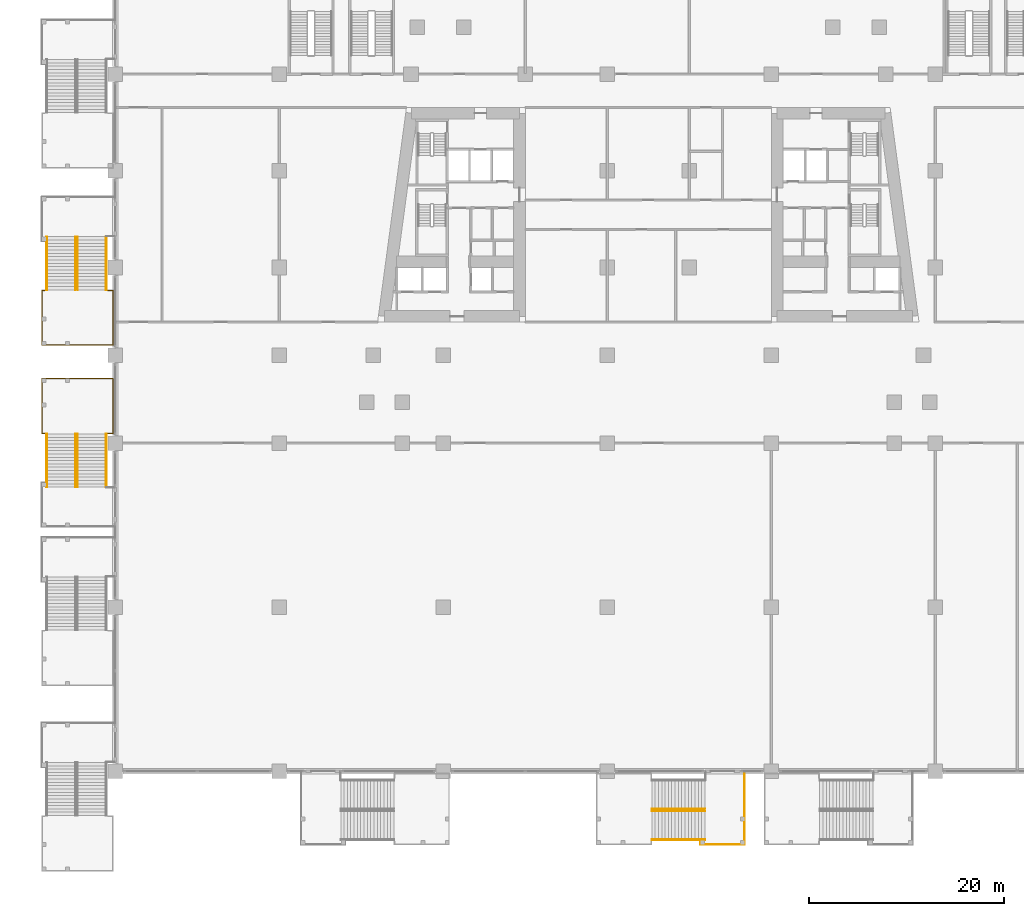
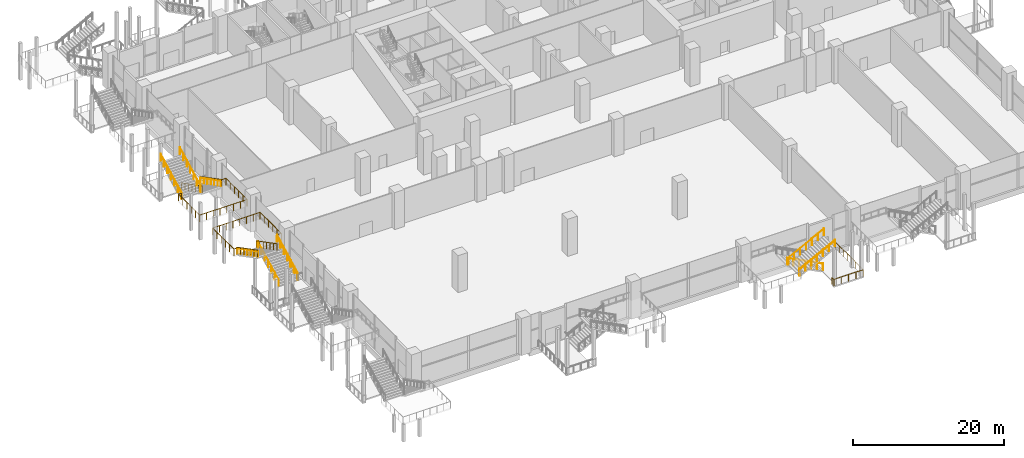
# One storey, part 37 of 49: 19 railings.
"""IFC4 building model written with IfcOpenShell, lengths in metres."""

import ifcopenshell
import ifcopenshell.guid

model = None  # the IFC model being written
_history = None  # IfcOwnerHistory: only IFC2X3 demands one
_inside = {}  # id of a spatial element -> (the spatial element, [elements in it])
_under = {}  # id of a project, library or spatial element -> (it, [spatial elements below it])
_declared = {}  # id of a project -> (the project, [libraries it declares])
_typed = {}  # id of a type object -> (the type object, [elements of that type])
_made_of = {}  # id of a material, layer set ... -> (it, [elements and type objects made of it])


def new_model(schema):
    """Start an empty IFC model of exactly this schema.

    Asked for "IFC4X3", IfcOpenShell would pick the latest addendum, in which some entities
    have other attributes; the version numbers below select the first issue.
    IFC2X3 requires an IfcOwnerHistory on every rooted entity: one is made here for all.
    """
    global model, _history
    if schema == "IFC4X3":
        model = ifcopenshell.file(schema_version=(4, 3, 0, 0))
    else:
        model = ifcopenshell.file(schema=schema)
    _inside.clear()
    _under.clear()
    _declared.clear()
    _typed.clear()
    _made_of.clear()
    _history = None
    if model.schema == "IFC2X3":
        org = make("IfcOrganization", Name="unknown")
        user = make(
            "IfcPersonAndOrganization",
            ThePerson=make("IfcPerson", FamilyName="unknown"),
            TheOrganization=org,
        )
        app = make(
            "IfcApplication",
            ApplicationDeveloper=org,
            Version="unknown",
            ApplicationFullName="unknown",
            ApplicationIdentifier="unknown",
        )
        _history = make(
            "IfcOwnerHistory",
            OwningUser=user,
            OwningApplication=app,
            ChangeAction="ADDED",
            CreationDate=0,
        )
    return model


def make(cls, **values):
    """One entity of the class cls with the attributes given. An attribute that is None is left unset."""
    return model.create_entity(
        cls, **{name: value for name, value in values.items() if value is not None}
    )


def rooted(cls, **values):
    """An entity with a GlobalId (a new one), such as an element, a storey or a relation."""
    return make(cls, GlobalId=ifcopenshell.guid.new(), OwnerHistory=_history, **values)


def si_unit(unit_type, name, prefix=None):
    """IfcSIUnit, for example si_unit("LENGTHUNIT", "METRE", prefix="MILLI")."""
    return make("IfcSIUnit", UnitType=unit_type, Prefix=prefix, Name=name)


def assignment(units):
    """IfcUnitAssignment: the units of a project."""
    return None if units is None else make("IfcUnitAssignment", Units=units)


def point(xyz):
    """IfcCartesianPoint."""
    return None if xyz is None else make("IfcCartesianPoint", Coordinates=xyz)


def direction(xyz):
    """IfcDirection."""
    return None if xyz is None else make("IfcDirection", DirectionRatios=xyz)


def frame(location, z_axis=None, x_axis=None):
    """IfcAxis2Placement3D, a coordinate frame: its origin and axes. An axis left out is left unset."""
    return make(
        "IfcAxis2Placement3D",
        Location=point(location),
        Axis=direction(z_axis),
        RefDirection=direction(x_axis),
    )


def frame_2d(location, x_axis=None):
    """IfcAxis2Placement2D, a coordinate frame in the plane: its origin and x axis."""
    return make(
        "IfcAxis2Placement2D", Location=point(location), RefDirection=direction(x_axis)
    )


def origin():
    """The frame at (0, 0, 0) with its axes left unset."""
    return frame((0.0, 0.0, 0.0))


def origin_2d():
    """The frame at (0, 0) in the plane with its x axis left unset."""
    return frame_2d((0.0, 0.0))


def place(relative_to, where):
    """IfcLocalPlacement: puts the frame where relative to a parent placement (None: the world)."""
    return make(
        "IfcLocalPlacement", PlacementRelTo=relative_to, RelativePlacement=where
    )


def context(
    kind, dimensions, precision=None, world=None, true_north=None, identifier=None
):
    """IfcGeometricRepresentationContext, for example the 3D "Model" context."""
    return make(
        "IfcGeometricRepresentationContext",
        ContextIdentifier=identifier,
        ContextType=kind,
        CoordinateSpaceDimension=dimensions,
        Precision=precision,
        WorldCoordinateSystem=world,
        TrueNorth=true_north,
    )


def subcontext(parent, identifier, kind, view, scale=None):
    """IfcGeometricRepresentationSubContext, for example "Body" below "Model"."""
    return make(
        "IfcGeometricRepresentationSubContext",
        ContextIdentifier=identifier,
        ContextType=kind,
        ParentContext=parent,
        TargetScale=scale,
        TargetView=view,
    )


def project(units=None, contexts=None):
    """IfcProject with its units and contexts."""
    return rooted(
        "IfcProject",
        Name="project",
        RepresentationContexts=contexts,
        UnitsInContext=assignment(units),
    )


def spatial(cls, under=None, at=None, **own):
    """A site, building, storey or space (cls), placed at a placement, below another one or the project."""
    s = rooted(cls, ObjectPlacement=at, **own)
    if under is not None:
        _under.setdefault(under.id(), (under, []))[1].append(s)
    return s


def profile(cls, at=None, kind="AREA", **sizes):
    """A parametric profile (cls). Its sizes go by their IFC names, for example OverallWidth=200.0."""
    return make(cls, ProfileType=kind, Position=at, **sizes)


def circle(**sizes):
    """IfcCircleProfileDef."""
    return profile("IfcCircleProfileDef", **sizes)


def extrude(swept, where, along, depth):
    """IfcExtrudedAreaSolid: the profile swept, set in the frame where, extruded along a direction by depth."""
    return make(
        "IfcExtrudedAreaSolid",
        SweptArea=swept,
        Position=where,
        ExtrudedDirection=direction(along),
        Depth=depth,
    )


def shape(context_of_items, identifier, shape_type, items):
    """IfcShapeRepresentation: the items that make up one representation, for example the "Body"."""
    return make(
        "IfcShapeRepresentation",
        ContextOfItems=context_of_items,
        RepresentationIdentifier=identifier,
        RepresentationType=shape_type,
        Items=items,
    )


def material(Name=None, Category=None):
    """IfcMaterial."""
    return make("IfcMaterial", Name=Name, Category=Category)


def made_of(thing, what):
    """Note that an element or type object is made of a material, layer set ...; save() writes the relation."""
    if what is not None:
        _made_of.setdefault(what.id(), (what, []))[1].append(thing)
    return thing


def type_object(cls, material=None, **own):
    """A type object (cls), such as IfcWallType, which elements share."""
    return made_of(rooted(cls, **own), material)


def element(
    cls,
    number,
    at=None,
    inside=None,
    cuts=None,
    type_object=None,
    material=None,
    context=None,
    identifier="Body",
    shape_type=None,
    held_by="IfcProductDefinitionShape",
    body=None,
    shapes=None,
    **own,
):
    """One element of the class cls, such as IfcWall. Its Tag is "e" and its number.

    at: its placement. inside: the storey or other place that contains it. cuts: it is an
    opening in that element (IfcRelVoidsElement). A single representation is given by context,
    identifier, shape_type and body (its items); several are given by shapes. held_by: the class
    of the entity that holds the representations. save() writes the other relations.
    """
    e = rooted(cls, Tag="e%d" % number, ObjectPlacement=at, **own)
    if body is not None:
        shapes = [shape(context, identifier, shape_type, body)]
    if shapes is not None:
        e.Representation = make(held_by, Representations=shapes)
    if inside is not None:
        _inside.setdefault(inside.id(), (inside, []))[1].append(e)
    if cuts is not None:
        rooted(
            "IfcRelVoidsElement", RelatingBuildingElement=cuts, RelatedOpeningElement=e
        )
    if type_object is not None:
        _typed.setdefault(type_object.id(), (type_object, []))[1].append(e)
    return made_of(e, material)


def aggregate(whole, parts):
    """IfcRelAggregates: a whole, such as a stair, and the parts it consists of."""
    return rooted("IfcRelAggregates", RelatingObject=whole, RelatedObjects=parts)


def save(model, path):
    """Write the relations noted so far, then the file.

    IfcRelAggregates (storeys below a building ...), IfcRelContainedInSpatialStructure (elements
    in a storey), IfcRelDefinesByType, IfcRelAssociatesMaterial and IfcRelDeclares: one each for
    every whole, place, type object, material and project.
    """
    for whole, parts in _under.values():
        aggregate(whole, parts)
    for where, things in _inside.values():
        rooted(
            "IfcRelContainedInSpatialStructure",
            RelatedElements=things,
            RelatingStructure=where,
        )
    for kind, things in _typed.values():
        rooted("IfcRelDefinesByType", RelatedObjects=things, RelatingType=kind)
    for what, things in _made_of.values():
        rooted("IfcRelAssociatesMaterial", RelatedObjects=things, RelatingMaterial=what)
    for by, libraries in _declared.values():
        rooted("IfcRelDeclares", RelatingContext=by, RelatedDefinitions=libraries)
    model.write(path)


model = new_model("IFC4")

# Units and contexts
model_context = context("Model", 3, precision=1e-05, world=origin(), true_north=direction((0.0, 1.0)))
body_context = subcontext(model_context, "Body", "Model", "MODEL_VIEW")
ifc_project = project(units=[si_unit("LENGTHUNIT", "METRE"), si_unit("AREAUNIT", "SQUARE_METRE"), si_unit("VOLUMEUNIT", "CUBIC_METRE"), si_unit("PLANEANGLEUNIT", "RADIAN"), si_unit("MASSUNIT", "GRAM", prefix="KILO")], contexts=[model_context])

# Site, building, storey
site_placement = place(None, origin())
site = spatial("IfcSite", under=ifc_project, at=site_placement, CompositionType="ELEMENT")
building_placement = place(site_placement, origin())
building = spatial("IfcBuilding", under=site, at=building_placement, Name="Candeia Pilgrim Tower and Theatre", CompositionType="ELEMENT")
storey_placement = place(building_placement, frame((0.0, 0.0, 17.0)))
storey = spatial("IfcBuildingStorey", under=building, at=storey_placement, Name="L02", CompositionType="ELEMENT", Elevation=17.0)

# Railings
ifc_material_1 = material(Name="Stainless steel balustrade", Category="steel")
railing_type_1 = type_object("IfcRailingType", Name="RL-GUARD-1100", PredefinedType="GUARDRAIL", material=ifc_material_1)
railing_1_placement = place(storey_placement, frame((119.199951171875, 60.550048828125, 0.176513671875)))
element("IfcRailing", 1, at=railing_1_placement, inside=storey, type_object=railing_type_1, Name="L02 ES9 stair guard 1", PredefinedType="GUARDRAIL", context=body_context, shape_type="SweptSolid", body=[
    extrude(circle(Radius=0.02392578125, at=origin_2d()), frame((0.0, 0.0, 1.076171875), z_axis=(-0.887569374008, 0.0, 0.460674078198), x_axis=(0.0, -1.0, 0.0)), (0.0, 0.0, 1.0), 6.129150390625),
    extrude(circle(Radius=0.02099609375, at=origin_2d()), origin(), (0.0, 0.0, 1.0), 1.052001953125),
    extrude(circle(Radius=0.02099609375, at=origin_2d()), frame((-0.90673828125, 0.0, 0.470703125)), (0.0, 0.0, 1.0), 1.052001953125),
    extrude(circle(Radius=0.02099609375, at=origin_2d()), frame((-1.813232421875, 0.0, 0.941162109375)), (0.0, 0.0, 1.0), 1.052001953125),
    extrude(circle(Radius=0.02099609375, at=origin_2d()), frame((-2.719970703125, 0.0, 1.41162109375)), (0.0, 0.0, 1.0), 1.052001953125),
    extrude(circle(Radius=0.02099609375, at=origin_2d()), frame((-3.626708984375, 0.0, 1.88232421875)), (0.0, 0.0, 1.0), 1.052001953125),
    extrude(circle(Radius=0.02099609375, at=origin_2d()), frame((-4.533203125, 0.0, 2.35302734375)), (0.0, 0.0, 1.0), 1.052001953125),
    extrude(circle(Radius=0.02099609375, at=origin_2d()), frame((-5.43994140625, 0.0, 2.823486328125)), (0.0, 0.0, 1.0), 1.052001953125),
])
for number, where, name in (
    (2, (113.760009765625, 60.300048828125, 3.176513671875), "L02 ES9 stair guard 2"),
    (3, (113.760009765625, 57.35009765625, 3.176513671875), "L02 ES9 stair guard 4"),
):
    element("IfcRailing", number, at=place(storey_placement, frame(where)), inside=storey, type_object=railing_type_1, Name=name, PredefinedType="GUARDRAIL", context=body_context, shape_type="SweptSolid", body=[
        extrude(circle(Radius=0.02392578125, at=origin_2d()), frame((0.0, 0.0, 1.076171875), z_axis=(0.887569374008, 0.0, 0.460674078198), x_axis=(0.0, 1.0, 0.0)), (0.0, 0.0, 1.0), 6.129150390625),
        extrude(circle(Radius=0.02099609375, at=origin_2d()), origin(), (0.0, 0.0, 1.0), 1.052001953125),
        extrude(circle(Radius=0.02099609375, at=origin_2d()), frame((0.90673828125, 0.0, 0.470703125)), (0.0, 0.0, 1.0), 1.052001953125),
        extrude(circle(Radius=0.02099609375, at=origin_2d()), frame((1.813232421875, 0.0, 0.941162109375)), (0.0, 0.0, 1.0), 1.052001953125),
        extrude(circle(Radius=0.02099609375, at=origin_2d()), frame((2.719970703125, 0.0, 1.41162109375)), (0.0, 0.0, 1.0), 1.052001953125),
        extrude(circle(Radius=0.02099609375, at=origin_2d()), frame((3.626708984375, 0.0, 1.88232421875)), (0.0, 0.0, 1.0), 1.052001953125),
        extrude(circle(Radius=0.02099609375, at=origin_2d()), frame((4.533203125, 0.0, 2.35302734375)), (0.0, 0.0, 1.0), 1.052001953125),
        extrude(circle(Radius=0.02099609375, at=origin_2d()), frame((5.43994140625, 0.0, 2.823486328125)), (0.0, 0.0, 1.0), 1.052001953125),
    ])
railing_2_placement = place(storey_placement, frame((123.25, 64.300048828125, 0.0)))
element("IfcRailing", 4, at=railing_2_placement, inside=storey, type_object=railing_type_1, Name="L02 External escape stair ES9 landing guard", PredefinedType="GUARDRAIL", context=body_context, shape_type="SweptSolid", body=[
    extrude(circle(Radius=0.02392578125, at=origin_2d()), frame((0.0, 0.0, 1.076171875), z_axis=(0.0, -1.0, 0.0), x_axis=(1.0, 0.0, 0.0)), (0.0, 0.0, 1.0), 7.400146484375),
    extrude(circle(Radius=0.02392578125, at=origin_2d()), frame((0.0, -7.400146484375, 1.076171875), z_axis=(-1.0, 0.0, 0.0), x_axis=(0.0, -1.0, 0.0)), (0.0, 0.0, 1.0), 4.5),
    extrude(circle(Radius=0.02392578125, at=origin_2d()), frame((-4.5, -7.400146484375, 1.076171875), z_axis=(0.0, 1.0, 0.0), x_axis=(-1.0, 0.0, 0.0)), (0.0, 0.0, 1.0), 0.4501953125),
    extrude(circle(Radius=0.02099609375, at=origin_2d()), origin(), (0.0, 0.0, 1.0), 1.052001953125),
    extrude(circle(Radius=0.02099609375, at=origin_2d()), frame((0.0, -1.05712890625, 0.0)), (0.0, 0.0, 1.0), 1.052001953125),
    extrude(circle(Radius=0.02099609375, at=origin_2d()), frame((0.0, -2.1142578125, 0.0)), (0.0, 0.0, 1.0), 1.052001953125),
    extrude(circle(Radius=0.02099609375, at=origin_2d()), frame((0.0, -3.17138671875, 0.0)), (0.0, 0.0, 1.0), 1.052001953125),
    extrude(circle(Radius=0.02099609375, at=origin_2d()), frame((0.0, -4.228759765625, 0.0)), (0.0, 0.0, 1.0), 1.052001953125),
    extrude(circle(Radius=0.02099609375, at=origin_2d()), frame((0.0, -5.285888671875, 0.0)), (0.0, 0.0, 1.0), 1.052001953125),
    extrude(circle(Radius=0.02099609375, at=origin_2d()), frame((0.0, -6.343017578125, 0.0)), (0.0, 0.0, 1.0), 1.052001953125),
    extrude(circle(Radius=0.02099609375, at=origin_2d()), frame((0.0, -7.400146484375, 0.0)), (0.0, 0.0, 1.0), 1.052001953125),
    extrude(circle(Radius=0.02099609375, at=origin_2d()), frame((-1.125, -7.400146484375, 0.0)), (0.0, 0.0, 1.0), 1.052001953125),
    extrude(circle(Radius=0.02099609375, at=origin_2d()), frame((-2.25, -7.400146484375, 0.0)), (0.0, 0.0, 1.0), 1.052001953125),
    extrude(circle(Radius=0.02099609375, at=origin_2d()), frame((-3.375, -7.400146484375, 0.0)), (0.0, 0.0, 1.0), 1.052001953125),
    extrude(circle(Radius=0.02099609375, at=origin_2d()), frame((-4.5, -7.400146484375, 0.0)), (0.0, 0.0, 1.0), 1.052001953125),
    extrude(circle(Radius=0.02099609375, at=origin_2d()), frame((-4.5, -6.949951171875, 0.0)), (0.0, 0.0, 1.0), 1.052001953125),
])
railing_3_placement = place(storey_placement, frame((54.949951171875, 93.5, 0.176513671875)))
element("IfcRailing", 5, at=railing_3_placement, inside=storey, type_object=railing_type_1, Name="L02 ES12 stair guard 1", PredefinedType="GUARDRAIL", context=body_context, shape_type="SweptSolid", body=[
    extrude(circle(Radius=0.02392578125, at=origin_2d()), frame((0.0, 0.0, 1.076171875), z_axis=(0.0, 0.887569374008, 0.460674078198), x_axis=(-1.0, 0.0, 0.0)), (0.0, 0.0, 1.0), 6.129150390625),
    extrude(circle(Radius=0.02099609375, at=origin_2d()), origin(), (0.0, 0.0, 1.0), 1.052001953125),
    extrude(circle(Radius=0.02099609375, at=origin_2d()), frame((0.0, 0.90673828125, 0.470703125)), (0.0, 0.0, 1.0), 1.052001953125),
    extrude(circle(Radius=0.02099609375, at=origin_2d()), frame((0.0, 1.813232421875, 0.941162109375)), (0.0, 0.0, 1.0), 1.052001953125),
    extrude(circle(Radius=0.02099609375, at=origin_2d()), frame((0.0, 2.719970703125, 1.41162109375)), (0.0, 0.0, 1.0), 1.052001953125),
    extrude(circle(Radius=0.02099609375, at=origin_2d()), frame((0.0, 3.626708984375, 1.88232421875)), (0.0, 0.0, 1.0), 1.052001953125),
    extrude(circle(Radius=0.02099609375, at=origin_2d()), frame((0.0, 4.533203125, 2.35302734375)), (0.0, 0.0, 1.0), 1.052001953125),
    extrude(circle(Radius=0.02099609375, at=origin_2d()), frame((0.0, 5.43994140625, 2.823486328125)), (0.0, 0.0, 1.0), 1.052001953125),
])
railing_4_placement = place(storey_placement, frame((54.699951171875, 98.93994140625, 3.176513671875)))
element("IfcRailing", 6, at=railing_4_placement, inside=storey, type_object=railing_type_1, Name="L02 ES12 stair guard 2", PredefinedType="GUARDRAIL", context=body_context, shape_type="SweptSolid", body=[
    extrude(circle(Radius=0.02392578125, at=origin_2d()), frame((0.0, 0.0, 1.076171875), z_axis=(0.0, -0.887569374008, 0.460674078198), x_axis=(1.0, 0.0, 0.0)), (0.0, 0.0, 1.0), 6.129150390625),
    extrude(circle(Radius=0.02099609375, at=origin_2d()), origin(), (0.0, 0.0, 1.0), 1.052001953125),
    extrude(circle(Radius=0.02099609375, at=origin_2d()), frame((0.0, -0.90673828125, 0.470703125)), (0.0, 0.0, 1.0), 1.052001953125),
    extrude(circle(Radius=0.02099609375, at=origin_2d()), frame((0.0, -1.813232421875, 0.941162109375)), (0.0, 0.0, 1.0), 1.052001953125),
    extrude(circle(Radius=0.02099609375, at=origin_2d()), frame((0.0, -2.719970703125, 1.41162109375)), (0.0, 0.0, 1.0), 1.052001953125),
    extrude(circle(Radius=0.02099609375, at=origin_2d()), frame((0.0, -3.626708984375, 1.88232421875)), (0.0, 0.0, 1.0), 1.052001953125),
    extrude(circle(Radius=0.02099609375, at=origin_2d()), frame((0.0, -4.533203125, 2.35302734375)), (0.0, 0.0, 1.0), 1.052001953125),
    extrude(circle(Radius=0.02099609375, at=origin_2d()), frame((0.0, -5.43994140625, 2.823486328125)), (0.0, 0.0, 1.0), 1.052001953125),
])
railing_5_placement = place(storey_placement, frame((57.89990234375, 93.5, 0.176513671875)))
element("IfcRailing", 7, at=railing_5_placement, inside=storey, type_object=railing_type_1, Name="L02 ES12 stair guard 3", PredefinedType="GUARDRAIL", context=body_context, shape_type="SweptSolid", body=[
    extrude(circle(Radius=0.02392578125, at=origin_2d()), frame((0.0, 0.0, 1.076171875), z_axis=(0.0, 0.887569374008, 0.460674078198), x_axis=(-1.0, 0.0, 0.0)), (0.0, 0.0, 1.0), 6.129150390625),
    extrude(circle(Radius=0.02099609375, at=origin_2d()), origin(), (0.0, 0.0, 1.0), 1.052001953125),
    extrude(circle(Radius=0.02099609375, at=origin_2d()), frame((0.0, 0.90673828125, 0.470703125)), (0.0, 0.0, 1.0), 1.052001953125),
    extrude(circle(Radius=0.02099609375, at=origin_2d()), frame((0.0, 1.813232421875, 0.941162109375)), (0.0, 0.0, 1.0), 1.052001953125),
    extrude(circle(Radius=0.02099609375, at=origin_2d()), frame((0.0, 2.719970703125, 1.41162109375)), (0.0, 0.0, 1.0), 1.052001953125),
    extrude(circle(Radius=0.02099609375, at=origin_2d()), frame((0.0, 3.626708984375, 1.88232421875)), (0.0, 0.0, 1.0), 1.052001953125),
    extrude(circle(Radius=0.02099609375, at=origin_2d()), frame((0.0, 4.533203125, 2.35302734375)), (0.0, 0.0, 1.0), 1.052001953125),
    extrude(circle(Radius=0.02099609375, at=origin_2d()), frame((0.0, 5.43994140625, 2.823486328125)), (0.0, 0.0, 1.0), 1.052001953125),
])
railing_6_placement = place(storey_placement, frame((51.75, 98.93994140625, 3.176513671875)))
element("IfcRailing", 8, at=railing_6_placement, inside=storey, type_object=railing_type_1, Name="L02 ES12 stair guard 4", PredefinedType="GUARDRAIL", context=body_context, shape_type="SweptSolid", body=[
    extrude(circle(Radius=0.02392578125, at=origin_2d()), frame((0.0, 0.0, 1.076171875), z_axis=(0.0, -0.887569374008, 0.460674078198), x_axis=(1.0, 0.0, 0.0)), (0.0, 0.0, 1.0), 6.129150390625),
    extrude(circle(Radius=0.02099609375, at=origin_2d()), origin(), (0.0, 0.0, 1.0), 1.052001953125),
    extrude(circle(Radius=0.02099609375, at=origin_2d()), frame((0.0, -0.90673828125, 0.470703125)), (0.0, 0.0, 1.0), 1.052001953125),
    extrude(circle(Radius=0.02099609375, at=origin_2d()), frame((0.0, -1.813232421875, 0.941162109375)), (0.0, 0.0, 1.0), 1.052001953125),
    extrude(circle(Radius=0.02099609375, at=origin_2d()), frame((0.0, -2.719970703125, 1.41162109375)), (0.0, 0.0, 1.0), 1.052001953125),
    extrude(circle(Radius=0.02099609375, at=origin_2d()), frame((0.0, -3.626708984375, 1.88232421875)), (0.0, 0.0, 1.0), 1.052001953125),
    extrude(circle(Radius=0.02099609375, at=origin_2d()), frame((0.0, -4.533203125, 2.35302734375)), (0.0, 0.0, 1.0), 1.052001953125),
    extrude(circle(Radius=0.02099609375, at=origin_2d()), frame((0.0, -5.43994140625, 2.823486328125)), (0.0, 0.0, 1.0), 1.052001953125),
])
railing_7_placement = place(storey_placement, frame((57.89990234375, 98.989990234375, 3.0)))
element("IfcRailing", 9, at=railing_7_placement, inside=storey, type_object=railing_type_1, Name="L02 ES12 stair guard 5", PredefinedType="GUARDRAIL", context=body_context, shape_type="SweptSolid", body=[
    extrude(circle(Radius=0.02392578125, at=origin_2d()), frame((0.0, 0.0, 1.076171875), z_axis=(1.0, 0.0, 0.0), x_axis=(0.0, 1.0, 0.0)), (0.0, 0.0, 1.0), 0.650146484375),
    extrude(circle(Radius=0.02392578125, at=origin_2d()), frame((0.650146484375, 0.0, 1.076171875), z_axis=(0.0, 1.0, 0.0), x_axis=(-1.0, 0.0, 0.0)), (0.0, 0.0, 1.0), 5.6201171875),
    extrude(circle(Radius=0.02392578125, at=origin_2d()), frame((0.650146484375, 5.6201171875, 1.076171875), z_axis=(-1.0, 0.0, 0.0), x_axis=(0.0, -1.0, 0.0)), (0.0, 0.0, 1.0), 7.25),
    extrude(circle(Radius=0.02392578125, at=origin_2d()), frame((-6.599853515625, 5.6201171875, 1.076171875), z_axis=(0.0, -1.0, 0.0), x_axis=(1.0, 0.0, 0.0)), (0.0, 0.0, 1.0), 5.6201171875),
    extrude(circle(Radius=0.02392578125, at=origin_2d()), frame((-6.599853515625, 0.0, 1.076171875), z_axis=(1.0, 0.0, 0.0), x_axis=(0.0, 1.0, 0.0)), (0.0, 0.0, 1.0), 0.449951171875),
    extrude(circle(Radius=0.02099609375, at=origin_2d()), origin(), (0.0, 0.0, 1.0), 1.052001953125),
    extrude(circle(Radius=0.02099609375, at=origin_2d()), frame((0.650146484375, 0.0, 0.0)), (0.0, 0.0, 1.0), 1.052001953125),
    extrude(circle(Radius=0.02099609375, at=origin_2d()), frame((0.650146484375, 1.1240234375, 0.0)), (0.0, 0.0, 1.0), 1.052001953125),
    extrude(circle(Radius=0.02099609375, at=origin_2d()), frame((0.650146484375, 2.248046875, 0.0)), (0.0, 0.0, 1.0), 1.052001953125),
    extrude(circle(Radius=0.02099609375, at=origin_2d()), frame((0.650146484375, 3.3720703125, 0.0)), (0.0, 0.0, 1.0), 1.052001953125),
    extrude(circle(Radius=0.02099609375, at=origin_2d()), frame((0.650146484375, 4.49609375, 0.0)), (0.0, 0.0, 1.0), 1.052001953125),
    extrude(circle(Radius=0.02099609375, at=origin_2d()), frame((0.650146484375, 5.6201171875, 0.0)), (0.0, 0.0, 1.0), 1.052001953125),
    extrude(circle(Radius=0.02099609375, at=origin_2d()), frame((-0.385498046875, 5.6201171875, 0.0)), (0.0, 0.0, 1.0), 1.052001953125),
    extrude(circle(Radius=0.02099609375, at=origin_2d()), frame((-1.42138671875, 5.6201171875, 0.0)), (0.0, 0.0, 1.0), 1.052001953125),
    extrude(circle(Radius=0.02099609375, at=origin_2d()), frame((-2.45703125, 5.6201171875, 0.0)), (0.0, 0.0, 1.0), 1.052001953125),
    extrude(circle(Radius=0.02099609375, at=origin_2d()), frame((-3.49267578125, 5.6201171875, 0.0)), (0.0, 0.0, 1.0), 1.052001953125),
    extrude(circle(Radius=0.02099609375, at=origin_2d()), frame((-4.5283203125, 5.6201171875, 0.0)), (0.0, 0.0, 1.0), 1.052001953125),
    extrude(circle(Radius=0.02099609375, at=origin_2d()), frame((-5.564208984375, 5.6201171875, 0.0)), (0.0, 0.0, 1.0), 1.052001953125),
    extrude(circle(Radius=0.02099609375, at=origin_2d()), frame((-6.599853515625, 5.6201171875, 0.0)), (0.0, 0.0, 1.0), 1.052001953125),
    extrude(circle(Radius=0.02099609375, at=origin_2d()), frame((-6.599853515625, 4.49609375, 0.0)), (0.0, 0.0, 1.0), 1.052001953125),
    extrude(circle(Radius=0.02099609375, at=origin_2d()), frame((-6.599853515625, 3.3720703125, 0.0)), (0.0, 0.0, 1.0), 1.052001953125),
    extrude(circle(Radius=0.02099609375, at=origin_2d()), frame((-6.599853515625, 2.248046875, 0.0)), (0.0, 0.0, 1.0), 1.052001953125),
    extrude(circle(Radius=0.02099609375, at=origin_2d()), frame((-6.599853515625, 1.1240234375, 0.0)), (0.0, 0.0, 1.0), 1.052001953125),
    extrude(circle(Radius=0.02099609375, at=origin_2d()), frame((-6.599853515625, 0.0, 0.0)), (0.0, 0.0, 1.0), 1.052001953125),
    extrude(circle(Radius=0.02099609375, at=origin_2d()), frame((-6.14990234375, 0.0, 0.0)), (0.0, 0.0, 1.0), 1.052001953125),
])
railing_8_placement = place(storey_placement, frame((54.949951171875, 119.14990234375, 0.176513671875)))
element("IfcRailing", 10, at=railing_8_placement, inside=storey, type_object=railing_type_1, Name="L02 ES15 stair guard 1", PredefinedType="GUARDRAIL", context=body_context, shape_type="SweptSolid", body=[
    extrude(circle(Radius=0.02392578125, at=origin_2d()), frame((0.0, 0.0, 1.076171875), z_axis=(0.0, -0.887569374008, 0.460674078198), x_axis=(1.0, 0.0, 0.0)), (0.0, 0.0, 1.0), 6.129150390625),
    extrude(circle(Radius=0.02099609375, at=origin_2d()), origin(), (0.0, 0.0, 1.0), 1.052001953125),
    extrude(circle(Radius=0.02099609375, at=origin_2d()), frame((0.0, -0.90673828125, 0.470703125)), (0.0, 0.0, 1.0), 1.052001953125),
    extrude(circle(Radius=0.02099609375, at=origin_2d()), frame((0.0, -1.813232421875, 0.941162109375)), (0.0, 0.0, 1.0), 1.052001953125),
    extrude(circle(Radius=0.02099609375, at=origin_2d()), frame((0.0, -2.719970703125, 1.41162109375)), (0.0, 0.0, 1.0), 1.052001953125),
    extrude(circle(Radius=0.02099609375, at=origin_2d()), frame((0.0, -3.626708984375, 1.88232421875)), (0.0, 0.0, 1.0), 1.052001953125),
    extrude(circle(Radius=0.02099609375, at=origin_2d()), frame((0.0, -4.533203125, 2.35302734375)), (0.0, 0.0, 1.0), 1.052001953125),
    extrude(circle(Radius=0.02099609375, at=origin_2d()), frame((0.0, -5.43994140625, 2.823486328125)), (0.0, 0.0, 1.0), 1.052001953125),
])
railing_9_placement = place(storey_placement, frame((54.699951171875, 113.7099609375, 3.176513671875)))
element("IfcRailing", 11, at=railing_9_placement, inside=storey, type_object=railing_type_1, Name="L02 ES15 stair guard 2", PredefinedType="GUARDRAIL", context=body_context, shape_type="SweptSolid", body=[
    extrude(circle(Radius=0.02392578125, at=origin_2d()), frame((0.0, 0.0, 1.076171875), z_axis=(0.0, 0.887569374008, 0.460674078198), x_axis=(-1.0, 0.0, 0.0)), (0.0, 0.0, 1.0), 6.129150390625),
    extrude(circle(Radius=0.02099609375, at=origin_2d()), origin(), (0.0, 0.0, 1.0), 1.052001953125),
    extrude(circle(Radius=0.02099609375, at=origin_2d()), frame((0.0, 0.90673828125, 0.470703125)), (0.0, 0.0, 1.0), 1.052001953125),
    extrude(circle(Radius=0.02099609375, at=origin_2d()), frame((0.0, 1.813232421875, 0.941162109375)), (0.0, 0.0, 1.0), 1.052001953125),
    extrude(circle(Radius=0.02099609375, at=origin_2d()), frame((0.0, 2.719970703125, 1.41162109375)), (0.0, 0.0, 1.0), 1.052001953125),
    extrude(circle(Radius=0.02099609375, at=origin_2d()), frame((0.0, 3.626708984375, 1.88232421875)), (0.0, 0.0, 1.0), 1.052001953125),
    extrude(circle(Radius=0.02099609375, at=origin_2d()), frame((0.0, 4.533203125, 2.35302734375)), (0.0, 0.0, 1.0), 1.052001953125),
    extrude(circle(Radius=0.02099609375, at=origin_2d()), frame((0.0, 5.43994140625, 2.823486328125)), (0.0, 0.0, 1.0), 1.052001953125),
])
railing_10_placement = place(storey_placement, frame((57.89990234375, 119.14990234375, 0.176513671875)))
element("IfcRailing", 12, at=railing_10_placement, inside=storey, type_object=railing_type_1, Name="L02 ES15 stair guard 3", PredefinedType="GUARDRAIL", context=body_context, shape_type="SweptSolid", body=[
    extrude(circle(Radius=0.02392578125, at=origin_2d()), frame((0.0, 0.0, 1.076171875), z_axis=(0.0, -0.887569374008, 0.460674078198), x_axis=(1.0, 0.0, 0.0)), (0.0, 0.0, 1.0), 6.129150390625),
    extrude(circle(Radius=0.02099609375, at=origin_2d()), origin(), (0.0, 0.0, 1.0), 1.052001953125),
    extrude(circle(Radius=0.02099609375, at=origin_2d()), frame((0.0, -0.90673828125, 0.470703125)), (0.0, 0.0, 1.0), 1.052001953125),
    extrude(circle(Radius=0.02099609375, at=origin_2d()), frame((0.0, -1.813232421875, 0.941162109375)), (0.0, 0.0, 1.0), 1.052001953125),
    extrude(circle(Radius=0.02099609375, at=origin_2d()), frame((0.0, -2.719970703125, 1.41162109375)), (0.0, 0.0, 1.0), 1.052001953125),
    extrude(circle(Radius=0.02099609375, at=origin_2d()), frame((0.0, -3.626708984375, 1.88232421875)), (0.0, 0.0, 1.0), 1.052001953125),
    extrude(circle(Radius=0.02099609375, at=origin_2d()), frame((0.0, -4.533203125, 2.35302734375)), (0.0, 0.0, 1.0), 1.052001953125),
    extrude(circle(Radius=0.02099609375, at=origin_2d()), frame((0.0, -5.43994140625, 2.823486328125)), (0.0, 0.0, 1.0), 1.052001953125),
])
railing_11_placement = place(storey_placement, frame((51.75, 113.7099609375, 3.176513671875)))
element("IfcRailing", 13, at=railing_11_placement, inside=storey, type_object=railing_type_1, Name="L02 ES15 stair guard 4", PredefinedType="GUARDRAIL", context=body_context, shape_type="SweptSolid", body=[
    extrude(circle(Radius=0.02392578125, at=origin_2d()), frame((0.0, 0.0, 1.076171875), z_axis=(0.0, 0.887569374008, 0.460674078198), x_axis=(-1.0, 0.0, 0.0)), (0.0, 0.0, 1.0), 6.129150390625),
    extrude(circle(Radius=0.02099609375, at=origin_2d()), origin(), (0.0, 0.0, 1.0), 1.052001953125),
    extrude(circle(Radius=0.02099609375, at=origin_2d()), frame((0.0, 0.90673828125, 0.470703125)), (0.0, 0.0, 1.0), 1.052001953125),
    extrude(circle(Radius=0.02099609375, at=origin_2d()), frame((0.0, 1.813232421875, 0.941162109375)), (0.0, 0.0, 1.0), 1.052001953125),
    extrude(circle(Radius=0.02099609375, at=origin_2d()), frame((0.0, 2.719970703125, 1.41162109375)), (0.0, 0.0, 1.0), 1.052001953125),
    extrude(circle(Radius=0.02099609375, at=origin_2d()), frame((0.0, 3.626708984375, 1.88232421875)), (0.0, 0.0, 1.0), 1.052001953125),
    extrude(circle(Radius=0.02099609375, at=origin_2d()), frame((0.0, 4.533203125, 2.35302734375)), (0.0, 0.0, 1.0), 1.052001953125),
    extrude(circle(Radius=0.02099609375, at=origin_2d()), frame((0.0, 5.43994140625, 2.823486328125)), (0.0, 0.0, 1.0), 1.052001953125),
])
railing_12_placement = place(storey_placement, frame((57.89990234375, 113.659912109375, 3.0)))
element("IfcRailing", 14, at=railing_12_placement, inside=storey, type_object=railing_type_1, Name="L02 ES15 stair guard 5", PredefinedType="GUARDRAIL", context=body_context, shape_type="SweptSolid", body=[
    extrude(circle(Radius=0.02392578125, at=origin_2d()), frame((0.0, 0.0, 1.076171875), z_axis=(1.0, 0.0, 0.0), x_axis=(0.0, 1.0, 0.0)), (0.0, 0.0, 1.0), 0.650146484375),
    extrude(circle(Radius=0.02392578125, at=origin_2d()), frame((0.650146484375, 0.0, 1.076171875), z_axis=(0.0, -1.0, 0.0), x_axis=(1.0, 0.0, 0.0)), (0.0, 0.0, 1.0), 5.619873046875),
    extrude(circle(Radius=0.02392578125, at=origin_2d()), frame((0.650146484375, -5.619873046875, 1.076171875), z_axis=(-1.0, 0.0, 0.0), x_axis=(0.0, -1.0, 0.0)), (0.0, 0.0, 1.0), 7.25),
    extrude(circle(Radius=0.02392578125, at=origin_2d()), frame((-6.599853515625, -5.619873046875, 1.076171875), z_axis=(0.0, 1.0, 0.0), x_axis=(-1.0, 0.0, 0.0)), (0.0, 0.0, 1.0), 5.619873046875),
    extrude(circle(Radius=0.02392578125, at=origin_2d()), frame((-6.599853515625, 0.0, 1.076171875), z_axis=(1.0, 0.0, 0.0), x_axis=(0.0, 1.0, 0.0)), (0.0, 0.0, 1.0), 0.449951171875),
    extrude(circle(Radius=0.02099609375, at=origin_2d()), origin(), (0.0, 0.0, 1.0), 1.052001953125),
    extrude(circle(Radius=0.02099609375, at=origin_2d()), frame((0.650146484375, 0.0, 0.0)), (0.0, 0.0, 1.0), 1.052001953125),
    extrude(circle(Radius=0.02099609375, at=origin_2d()), frame((0.650146484375, -1.1240234375, 0.0)), (0.0, 0.0, 1.0), 1.052001953125),
    extrude(circle(Radius=0.02099609375, at=origin_2d()), frame((0.650146484375, -2.248046875, 0.0)), (0.0, 0.0, 1.0), 1.052001953125),
    extrude(circle(Radius=0.02099609375, at=origin_2d()), frame((0.650146484375, -3.371826171875, 0.0)), (0.0, 0.0, 1.0), 1.052001953125),
    extrude(circle(Radius=0.02099609375, at=origin_2d()), frame((0.650146484375, -4.495849609375, 0.0)), (0.0, 0.0, 1.0), 1.052001953125),
    extrude(circle(Radius=0.02099609375, at=origin_2d()), frame((0.650146484375, -5.619873046875, 0.0)), (0.0, 0.0, 1.0), 1.052001953125),
    extrude(circle(Radius=0.02099609375, at=origin_2d()), frame((-0.385498046875, -5.619873046875, 0.0)), (0.0, 0.0, 1.0), 1.052001953125),
    extrude(circle(Radius=0.02099609375, at=origin_2d()), frame((-1.42138671875, -5.619873046875, 0.0)), (0.0, 0.0, 1.0), 1.052001953125),
    extrude(circle(Radius=0.02099609375, at=origin_2d()), frame((-2.45703125, -5.619873046875, 0.0)), (0.0, 0.0, 1.0), 1.052001953125),
    extrude(circle(Radius=0.02099609375, at=origin_2d()), frame((-3.49267578125, -5.619873046875, 0.0)), (0.0, 0.0, 1.0), 1.052001953125),
    extrude(circle(Radius=0.02099609375, at=origin_2d()), frame((-4.5283203125, -5.619873046875, 0.0)), (0.0, 0.0, 1.0), 1.052001953125),
    extrude(circle(Radius=0.02099609375, at=origin_2d()), frame((-5.564208984375, -5.619873046875, 0.0)), (0.0, 0.0, 1.0), 1.052001953125),
    extrude(circle(Radius=0.02099609375, at=origin_2d()), frame((-6.599853515625, -5.619873046875, 0.0)), (0.0, 0.0, 1.0), 1.052001953125),
    extrude(circle(Radius=0.02099609375, at=origin_2d()), frame((-6.599853515625, -4.495849609375, 0.0)), (0.0, 0.0, 1.0), 1.052001953125),
    extrude(circle(Radius=0.02099609375, at=origin_2d()), frame((-6.599853515625, -3.371826171875, 0.0)), (0.0, 0.0, 1.0), 1.052001953125),
    extrude(circle(Radius=0.02099609375, at=origin_2d()), frame((-6.599853515625, -2.248046875, 0.0)), (0.0, 0.0, 1.0), 1.052001953125),
    extrude(circle(Radius=0.02099609375, at=origin_2d()), frame((-6.599853515625, -1.1240234375, 0.0)), (0.0, 0.0, 1.0), 1.052001953125),
    extrude(circle(Radius=0.02099609375, at=origin_2d()), frame((-6.599853515625, 0.0, 0.0)), (0.0, 0.0, 1.0), 1.052001953125),
    extrude(circle(Radius=0.02099609375, at=origin_2d()), frame((-6.14990234375, 0.0, 0.0)), (0.0, 0.0, 1.0), 1.052001953125),
])
ifc_material_2 = material(Name="Stainless steel handrail", Category="steel")
railing_type_2 = type_object("IfcRailingType", Name="RL-HANDRAIL-900", PredefinedType="HANDRAIL", material=ifc_material_2)
railing_13_placement = place(storey_placement, frame((113.760009765625, 57.39990234375, 3.176513671875)))
element("IfcRailing", 15, at=railing_13_placement, inside=storey, type_object=railing_type_2, Name="L02 ES9 stair handrail 2", PredefinedType="HANDRAIL", context=body_context, shape_type="SweptSolid", body=[
    extrude(circle(Radius=0.02392578125, at=origin_2d()), frame((0.0, 0.0, 0.8759765625), z_axis=(0.887569374008, 0.0, 0.460674078198), x_axis=(0.0, 1.0, 0.0)), (0.0, 0.0, 1.0), 6.129150390625),
    extrude(circle(Radius=0.02099609375, at=origin_2d()), origin(), (0.0, 0.0, 1.0), 0.851806640625),
    extrude(circle(Radius=0.02099609375, at=origin_2d()), frame((0.90673828125, 0.0, 0.470703125)), (0.0, 0.0, 1.0), 0.851806640625),
    extrude(circle(Radius=0.02099609375, at=origin_2d()), frame((1.813232421875, 0.0, 0.941162109375)), (0.0, 0.0, 1.0), 0.851806640625),
    extrude(circle(Radius=0.02099609375, at=origin_2d()), frame((2.719970703125, 0.0, 1.41162109375)), (0.0, 0.0, 1.0), 0.851806640625),
    extrude(circle(Radius=0.02099609375, at=origin_2d()), frame((3.626708984375, 0.0, 1.88232421875)), (0.0, 0.0, 1.0), 0.851806640625),
    extrude(circle(Radius=0.02099609375, at=origin_2d()), frame((4.533203125, 0.0, 2.35302734375)), (0.0, 0.0, 1.0), 0.851806640625),
    extrude(circle(Radius=0.02099609375, at=origin_2d()), frame((5.43994140625, 0.0, 2.823486328125)), (0.0, 0.0, 1.0), 0.851806640625),
])
railing_14_placement = place(storey_placement, frame((57.85009765625, 93.5, 0.176513671875)))
element("IfcRailing", 16, at=railing_14_placement, inside=storey, type_object=railing_type_2, Name="L02 ES12 stair handrail 1", PredefinedType="HANDRAIL", context=body_context, shape_type="SweptSolid", body=[
    extrude(circle(Radius=0.02392578125, at=origin_2d()), frame((0.0, 0.0, 0.8759765625), z_axis=(0.0, 0.887569374008, 0.460674078198), x_axis=(-1.0, 0.0, 0.0)), (0.0, 0.0, 1.0), 6.129150390625),
    extrude(circle(Radius=0.02099609375, at=origin_2d()), origin(), (0.0, 0.0, 1.0), 0.851806640625),
    extrude(circle(Radius=0.02099609375, at=origin_2d()), frame((0.0, 0.90673828125, 0.470703125)), (0.0, 0.0, 1.0), 0.851806640625),
    extrude(circle(Radius=0.02099609375, at=origin_2d()), frame((0.0, 1.813232421875, 0.941162109375)), (0.0, 0.0, 1.0), 0.851806640625),
    extrude(circle(Radius=0.02099609375, at=origin_2d()), frame((0.0, 2.719970703125, 1.41162109375)), (0.0, 0.0, 1.0), 0.851806640625),
    extrude(circle(Radius=0.02099609375, at=origin_2d()), frame((0.0, 3.626708984375, 1.88232421875)), (0.0, 0.0, 1.0), 0.851806640625),
    extrude(circle(Radius=0.02099609375, at=origin_2d()), frame((0.0, 4.533203125, 2.35302734375)), (0.0, 0.0, 1.0), 0.851806640625),
    extrude(circle(Radius=0.02099609375, at=origin_2d()), frame((0.0, 5.43994140625, 2.823486328125)), (0.0, 0.0, 1.0), 0.851806640625),
])
for number, where, name in (
    (17, (51.800048828125, 98.93994140625, 3.176513671875), "L02 ES12 stair handrail 2"),
    (18, (57.85009765625, 119.14990234375, 0.176513671875), "L02 ES15 stair handrail 1"),
):
    element("IfcRailing", number, at=place(storey_placement, frame(where)), inside=storey, type_object=railing_type_2, Name=name, PredefinedType="HANDRAIL", context=body_context, shape_type="SweptSolid", body=[
        extrude(circle(Radius=0.02392578125, at=origin_2d()), frame((0.0, 0.0, 0.8759765625), z_axis=(0.0, -0.887569374008, 0.460674078198), x_axis=(1.0, 0.0, 0.0)), (0.0, 0.0, 1.0), 6.129150390625),
        extrude(circle(Radius=0.02099609375, at=origin_2d()), origin(), (0.0, 0.0, 1.0), 0.851806640625),
        extrude(circle(Radius=0.02099609375, at=origin_2d()), frame((0.0, -0.90673828125, 0.470703125)), (0.0, 0.0, 1.0), 0.851806640625),
        extrude(circle(Radius=0.02099609375, at=origin_2d()), frame((0.0, -1.813232421875, 0.941162109375)), (0.0, 0.0, 1.0), 0.851806640625),
        extrude(circle(Radius=0.02099609375, at=origin_2d()), frame((0.0, -2.719970703125, 1.41162109375)), (0.0, 0.0, 1.0), 0.851806640625),
        extrude(circle(Radius=0.02099609375, at=origin_2d()), frame((0.0, -3.626708984375, 1.88232421875)), (0.0, 0.0, 1.0), 0.851806640625),
        extrude(circle(Radius=0.02099609375, at=origin_2d()), frame((0.0, -4.533203125, 2.35302734375)), (0.0, 0.0, 1.0), 0.851806640625),
        extrude(circle(Radius=0.02099609375, at=origin_2d()), frame((0.0, -5.43994140625, 2.823486328125)), (0.0, 0.0, 1.0), 0.851806640625),
    ])
railing_15_placement = place(storey_placement, frame((51.800048828125, 113.7099609375, 3.176513671875)))
element("IfcRailing", 19, at=railing_15_placement, inside=storey, type_object=railing_type_2, Name="L02 ES15 stair handrail 2", PredefinedType="HANDRAIL", context=body_context, shape_type="SweptSolid", body=[
    extrude(circle(Radius=0.02392578125, at=origin_2d()), frame((0.0, 0.0, 0.8759765625), z_axis=(0.0, 0.887569374008, 0.460674078198), x_axis=(-1.0, 0.0, 0.0)), (0.0, 0.0, 1.0), 6.129150390625),
    extrude(circle(Radius=0.02099609375, at=origin_2d()), origin(), (0.0, 0.0, 1.0), 0.851806640625),
    extrude(circle(Radius=0.02099609375, at=origin_2d()), frame((0.0, 0.90673828125, 0.470703125)), (0.0, 0.0, 1.0), 0.851806640625),
    extrude(circle(Radius=0.02099609375, at=origin_2d()), frame((0.0, 1.813232421875, 0.941162109375)), (0.0, 0.0, 1.0), 0.851806640625),
    extrude(circle(Radius=0.02099609375, at=origin_2d()), frame((0.0, 2.719970703125, 1.41162109375)), (0.0, 0.0, 1.0), 0.851806640625),
    extrude(circle(Radius=0.02099609375, at=origin_2d()), frame((0.0, 3.626708984375, 1.88232421875)), (0.0, 0.0, 1.0), 0.851806640625),
    extrude(circle(Radius=0.02099609375, at=origin_2d()), frame((0.0, 4.533203125, 2.35302734375)), (0.0, 0.0, 1.0), 0.851806640625),
    extrude(circle(Radius=0.02099609375, at=origin_2d()), frame((0.0, 5.43994140625, 2.823486328125)), (0.0, 0.0, 1.0), 0.851806640625),
])

save(model, "model.ifc")
